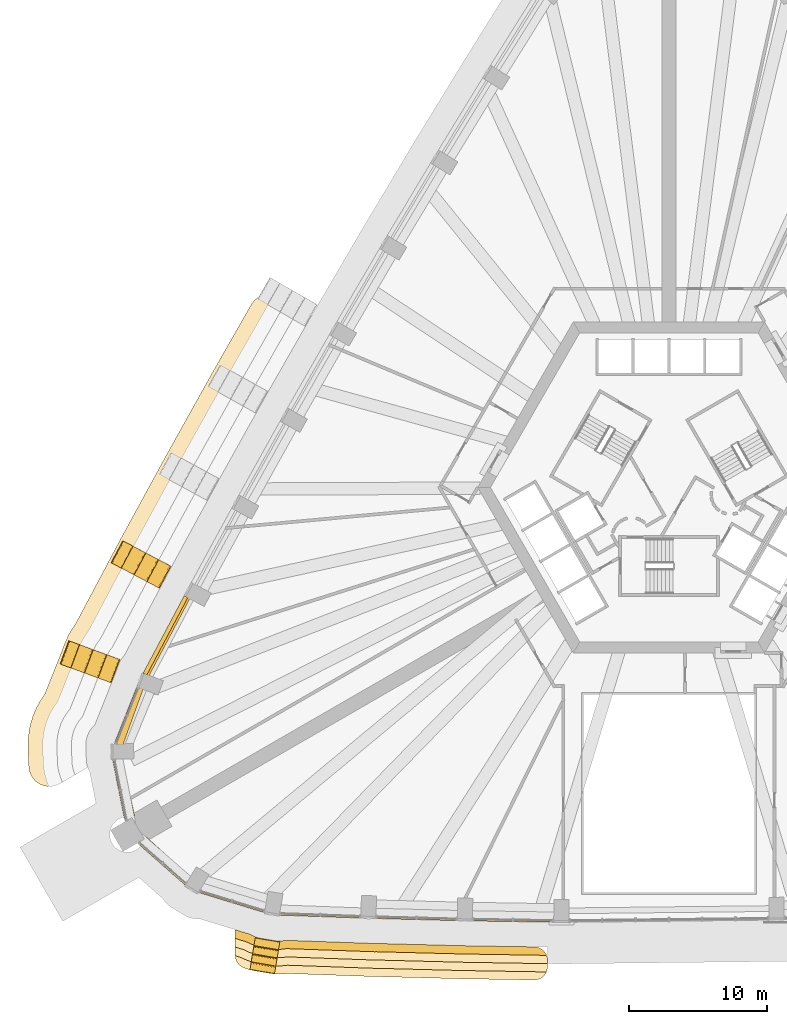
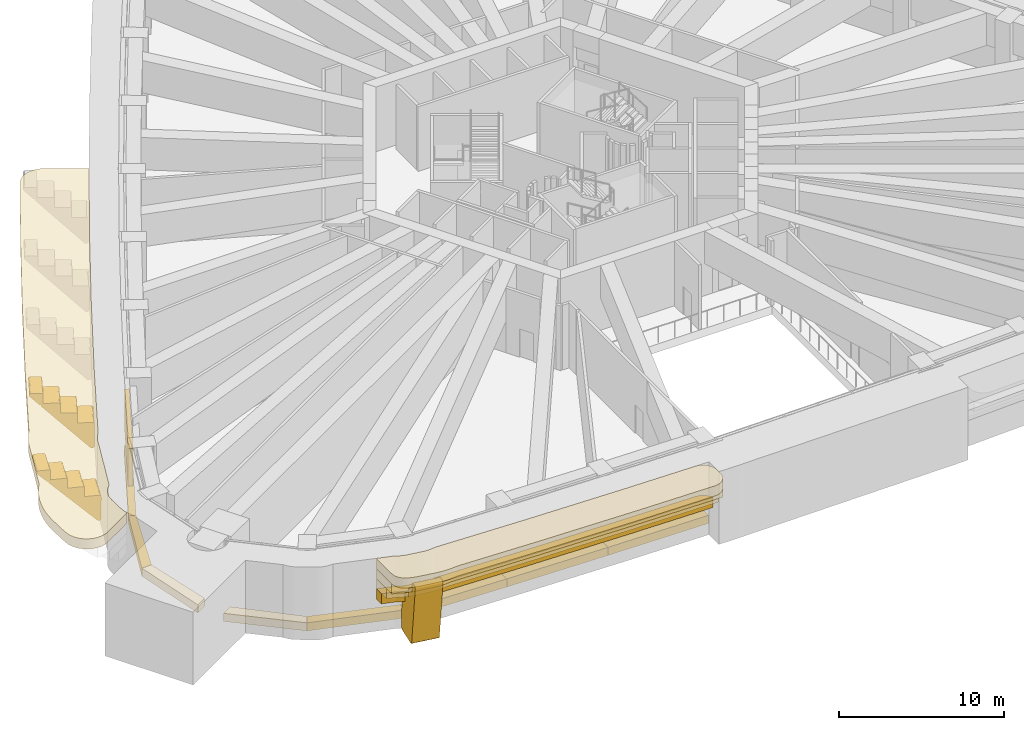
# One storey, part 16 of 22: 16 coverings, 1 shading device.
"""IFC4 building model written with IfcOpenShell, lengths in metres."""

from ifc_helpers import new_model, si_unit, direction, frame, origin, origin_2d, place, context, subcontext, project, spatial, polyline, rectangle, outline, extrude, material, layer, layer_set, type_object, element, save


model = new_model("IFC4")

# Units and contexts
model_context = context("Model", 3, precision=1e-05, world=origin(), true_north=direction((0.0, 1.0)))
body_context = subcontext(model_context, "Body", "Model", "MODEL_VIEW")
ifc_project = project(units=[si_unit("LENGTHUNIT", "METRE"), si_unit("AREAUNIT", "SQUARE_METRE"), si_unit("VOLUMEUNIT", "CUBIC_METRE"), si_unit("PLANEANGLEUNIT", "RADIAN"), si_unit("MASSUNIT", "GRAM", prefix="KILO")], contexts=[model_context])

# Site, building, storey
site_placement = place(None, origin())
site = spatial("IfcSite", under=ifc_project, at=site_placement, CompositionType="ELEMENT")
building_placement = place(site_placement, origin())
building = spatial("IfcBuilding", under=site, at=building_placement, Name="Entoto Arch Interchange Tower", CompositionType="ELEMENT")
storey_placement = place(building_placement, frame((0.0, 0.0, 132.800048828125)))
storey = spatial("IfcBuildingStorey", under=building, at=storey_placement, Name="L29", CompositionType="ELEMENT", Elevation=132.800048828125)

# Shading device
ifc_material_1 = material(Name="Aluminium, anodised", Category="aluminium")
ifc_layer = layer(ifc_material_1, 0.300048828125)
ifc_layer_set = layer_set([ifc_layer], Name="Aluminium, anodised")
shading_device_type = type_object("IfcShadingDeviceType", Name="PLANT LOUVRE ALUMINIUM", PredefinedType="JALOUSIE", material=ifc_layer_set)
shading_device_placement = place(storey_placement, frame((-36.48388671875, -8.219970703125, 1.19970703125), z_axis=(0.0, 0.0, 1.0), x_axis=(-0.4686391959, -0.883389667172, 0.0)))
element("IfcShadingDevice", 1, at=shading_device_placement, inside=storey, type_object=shading_device_type, Name="Plant louvre NW-08 L29", PredefinedType="JALOUSIE", context=body_context, shape_type="SweptSolid", body=[
    extrude(rectangle(XDim=6.3291015625, YDim=0.300048828125, at=origin_2d()), origin(), (0.0, 0.0, 1.0), 2.800048828125),
])

# Coverings
ifc_material_2 = material(Name="Board-marked precast concrete C50/60", Category="concrete")
covering_type_1 = type_object("IfcCoveringType", Name="PRECAST FRAME COURSE", PredefinedType="CLADDING", material=ifc_material_2)
covering_1_placement = place(storey_placement, frame((0.0, 0.0, 4.050048828125)))
element("IfcCovering", 2, at=covering_1_placement, inside=storey, type_object=covering_type_1, Name="Cantilever cornice L29 1", PredefinedType="CLADDING", context=body_context, shape_type="SweptSolid", body=[
    extrude(outline(polyline([(-9.382080078125, -30.875), (-9.298095703125, -30.9150390625), (-9.218017578125, -30.964111328125), (-9.14404296875, -31.02099609375), (-9.075927734375, -31.083984375), (-9.012939453125, -31.153076171875), (-8.9580078125, -31.22900390625), (-8.910888671875, -31.30908203125), (-8.8720703125, -31.39306640625), (-8.840087890625, -31.48095703125), (-8.818115234375, -31.572021484375), (-8.804931640625, -31.6640625), (-8.800048828125, -31.757080078125), (-8.800048828125, -32.237060546875), (-8.804931640625, -32.33203125), (-8.819091796875, -32.426025390625), (-8.842041015625, -32.51806640625), (-8.875, -32.60791015625), (-8.916015625, -32.694091796875), (-8.965087890625, -32.77490234375), (-9.02197265625, -32.85107421875), (-9.0869140625, -32.9208984375), (-9.157958984375, -32.985107421875), (-9.235107421875, -33.041015625), (-9.31689453125, -33.089111328125), (-9.404052734375, -33.1279296875), (-9.493896484375, -33.158935546875), (-9.5859375, -33.180908203125), (-9.680908203125, -33.194091796875), (-9.77587890625, -33.197021484375), (-10.31005859375, -33.18798828125), (-14.23291015625, -33.123046875), (-14.242919921875, -33.1220703125), (-14.2529296875, -33.123046875), (-14.322998046875, -33.1240234375), (-14.3701171875, -33.1240234375), (-14.7509765625, -33.114990234375), (-15.445068359375, -33.09912109375), (-15.447021484375, -33.09912109375), (-21.2490234375, -32.947998046875), (-21.2490234375, -32.947998046875), (-21.258056640625, -32.947998046875), (-21.26806640625, -32.947998046875), (-21.298095703125, -32.948974609375), (-21.364013671875, -32.949951171875), (-21.412109375, -32.948974609375), (-22.39697265625, -32.9140625), (-22.487060546875, -32.910888671875), (-27.60302734375, -32.72802734375), (-27.60302734375, -32.72802734375), (-27.6279296875, -32.72705078125), (-27.653076171875, -32.73095703125), (-27.6689453125, -32.73388671875), (-27.762939453125, -32.74609375), (-28.080078125, -32.77001953125), (-28.174072265625, -32.77294921875), (-28.407958984375, -32.76806640625), (-28.491943359375, -32.76611328125), (-28.5859375, -32.759033203125), (-28.695068359375, -32.74609375), (-28.925048828125, -32.718017578125), (-28.970947265625, -32.7119140625), (-29.051025390625, -32.697998046875), (-30.009033203125, -32.534912109375), (-30.054931640625, -32.52587890625), (-30.259033203125, -32.47998046875), (-30.388916015625, -32.451904296875), (-30.47998046875, -32.427001953125), (-30.76708984375, -32.3330078125), (-30.85400390625, -32.300048828125), (-30.93701171875, -32.259033203125), (-31.014892578125, -32.2099609375), (-31.089111328125, -32.153076171875), (-31.156982421875, -32.090087890625), (-31.218017578125, -32.02099609375), (-31.27197265625, -31.946044921875), (-31.319091796875, -31.865966796875), (-31.35791015625, -31.781982421875), (-31.388916015625, -31.694091796875), (-31.410888671875, -31.60498046875), (-31.424072265625, -31.512939453125), (-31.428955078125, -31.419921875), (-31.428955078125, -29.5791015625), (-31.428955078125, -29.555908203125), (-30.304931640625, -29.89990234375), (-30.284912109375, -29.9140625), (-30.131103515625, -30.0009765625), (-29.968994140625, -30.072021484375), (-29.801025390625, -30.126953125), (-29.62890625, -30.1650390625), (-28.544921875, -30.35009765625), (-28.368896484375, -30.37109375), (-28.193115234375, -30.375), (-28.01611328125, -30.361083984375), (-27.842041015625, -30.3310546875), (-27.802001953125, -30.319091796875), (-22.402099609375, -30.511962890625), (-21.302978515625, -30.551025390625), (-21.1708984375, -30.550048828125), (-15.39111328125, -30.698974609375), (-15.387939453125, -30.698974609375), (-14.2880859375, -30.72607421875), (-14.18408203125, -30.722900390625), (-11.8291015625, -30.761962890625), (-11.76611328125, -30.762939453125), (-9.743896484375, -30.797119140625), (-9.65087890625, -30.802978515625), (-9.55908203125, -30.818115234375), (-9.468994140625, -30.842041015625), (-9.382080078125, -30.875)])), origin(), (0.0, 0.0, 1.0), 0.75),
])
covering_2_placement = place(storey_placement, frame((0.0, 0.0, 3.300048828125)))
element("IfcCovering", 3, at=covering_2_placement, inside=storey, type_object=covering_type_1, Name="Cantilever cornice L29 2", PredefinedType="CLADDING", context=body_context, shape_type="SweptSolid", body=[
    extrude(outline(polyline([(-9.382080078125, -30.875), (-9.298095703125, -30.9150390625), (-9.218017578125, -30.964111328125), (-9.14404296875, -31.02099609375), (-9.075927734375, -31.083984375), (-9.012939453125, -31.153076171875), (-8.9580078125, -31.22900390625), (-8.910888671875, -31.30908203125), (-8.8720703125, -31.39306640625), (-8.840087890625, -31.48095703125), (-8.818115234375, -31.572021484375), (-8.804931640625, -31.6640625), (-8.800048828125, -31.757080078125), (-8.800048828125, -32.237060546875), (-8.804931640625, -32.33203125), (-8.819091796875, -32.426025390625), (-8.842041015625, -32.51806640625), (-8.875, -32.60791015625), (-8.8759765625, -32.612060546875), (-14.22802734375, -32.52294921875), (-14.33203125, -32.52490234375), (-15.430908203125, -32.4990234375), (-15.43798828125, -32.4990234375), (-21.237060546875, -32.347900390625), (-21.366943359375, -32.35009765625), (-22.466064453125, -32.31103515625), (-27.6669921875, -32.125), (-27.791015625, -32.14697265625), (-28.14306640625, -32.174072265625), (-28.49609375, -32.166015625), (-28.846923828125, -32.1240234375), (-29.931884765625, -31.93896484375), (-30.27587890625, -31.863037109375), (-30.612060546875, -31.7529296875), (-30.93603515625, -31.611083984375), (-31.02001953125, -31.56298828125), (-31.427978515625, -31.43798828125), (-31.428955078125, -31.419921875), (-31.428955078125, -29.5791015625), (-31.428955078125, -29.555908203125), (-30.304931640625, -29.89990234375), (-30.284912109375, -29.9140625), (-30.131103515625, -30.0009765625), (-29.968994140625, -30.072021484375), (-29.801025390625, -30.126953125), (-29.62890625, -30.1650390625), (-28.544921875, -30.35009765625), (-28.368896484375, -30.37109375), (-28.193115234375, -30.375), (-28.01611328125, -30.361083984375), (-27.842041015625, -30.3310546875), (-27.802001953125, -30.319091796875), (-22.402099609375, -30.511962890625), (-21.302978515625, -30.551025390625), (-21.1708984375, -30.550048828125), (-15.39111328125, -30.698974609375), (-15.387939453125, -30.698974609375), (-14.2880859375, -30.72607421875), (-14.18408203125, -30.722900390625), (-11.8291015625, -30.761962890625), (-11.76611328125, -30.762939453125), (-9.743896484375, -30.797119140625), (-9.65087890625, -30.802978515625), (-9.55908203125, -30.818115234375), (-9.468994140625, -30.842041015625), (-9.382080078125, -30.875)])), origin(), (0.0, 0.0, 1.0), 0.75),
])
covering_3_placement = place(storey_placement, frame((0.0, 0.0, 2.550048828125)))
element("IfcCovering", 4, at=covering_3_placement, inside=storey, type_object=covering_type_1, Name="Cantilever cornice L29 3", PredefinedType="CLADDING", context=body_context, shape_type="SweptSolid", body=[
    extrude(outline(polyline([(-9.382080078125, -30.875), (-9.298095703125, -30.9150390625), (-9.218017578125, -30.964111328125), (-9.14404296875, -31.02099609375), (-9.075927734375, -31.083984375), (-9.012939453125, -31.153076171875), (-8.9580078125, -31.22900390625), (-8.910888671875, -31.30908203125), (-8.8720703125, -31.39306640625), (-8.840087890625, -31.48095703125), (-8.818115234375, -31.572021484375), (-8.804931640625, -31.6640625), (-8.800048828125, -31.757080078125), (-8.800048828125, -32.012939453125), (-14.212890625, -31.923095703125), (-14.31689453125, -31.925048828125), (-15.4169921875, -31.89892578125), (-15.422119140625, -31.89892578125), (-21.215087890625, -31.7490234375), (-21.345947265625, -31.7509765625), (-22.445068359375, -31.7119140625), (-27.705078125, -31.52294921875), (-27.865966796875, -31.552001953125), (-28.159912109375, -31.573974609375), (-28.4541015625, -31.568115234375), (-28.74609375, -31.532958984375), (-29.8310546875, -31.347900390625), (-30.117919921875, -31.283935546875), (-30.39794921875, -31.193115234375), (-30.6669921875, -31.073974609375), (-30.784912109375, -31.008056640625), (-31.428955078125, -30.81103515625), (-31.428955078125, -29.5791015625), (-31.428955078125, -29.555908203125), (-30.304931640625, -29.89990234375), (-30.284912109375, -29.9140625), (-30.131103515625, -30.0009765625), (-29.968994140625, -30.072021484375), (-29.801025390625, -30.126953125), (-29.62890625, -30.1650390625), (-28.544921875, -30.35009765625), (-28.368896484375, -30.37109375), (-28.193115234375, -30.375), (-28.01611328125, -30.361083984375), (-27.842041015625, -30.3310546875), (-27.802001953125, -30.319091796875), (-22.402099609375, -30.511962890625), (-21.302978515625, -30.551025390625), (-21.1708984375, -30.550048828125), (-15.39111328125, -30.698974609375), (-15.387939453125, -30.698974609375), (-14.2880859375, -30.72607421875), (-14.18408203125, -30.722900390625), (-11.8291015625, -30.761962890625), (-11.76611328125, -30.762939453125), (-9.743896484375, -30.797119140625), (-9.65087890625, -30.802978515625), (-9.55908203125, -30.818115234375), (-9.468994140625, -30.842041015625), (-9.382080078125, -30.875)])), origin(), (0.0, 0.0, 1.0), 0.75),
])
covering_4_placement = place(storey_placement, frame((0.0, 0.0, 1.800048828125)))
element("IfcCovering", 5, at=covering_4_placement, inside=storey, type_object=covering_type_1, Name="Cantilever cornice L29 4", PredefinedType="CLADDING", context=body_context, shape_type="SweptSolid", body=[
    extrude(outline(polyline([(-9.382080078125, -30.875), (-9.298095703125, -30.9150390625), (-9.218017578125, -30.964111328125), (-9.14404296875, -31.02099609375), (-9.075927734375, -31.083984375), (-9.012939453125, -31.153076171875), (-8.9580078125, -31.22900390625), (-8.910888671875, -31.30908203125), (-8.8720703125, -31.39306640625), (-8.864990234375, -31.412109375), (-14.198974609375, -31.322998046875), (-14.302978515625, -31.325927734375), (-15.403076171875, -31.299072265625), (-15.406982421875, -31.299072265625), (-21.193115234375, -31.14892578125), (-21.323974609375, -31.15087890625), (-22.424072265625, -31.112060546875), (-27.743896484375, -30.922119140625), (-27.94091796875, -30.95703125), (-28.176025390625, -30.97509765625), (-28.412109375, -30.968994140625), (-28.64501953125, -30.94091796875), (-29.72998046875, -30.756103515625), (-29.9599609375, -30.705078125), (-30.18408203125, -30.632080078125), (-30.39892578125, -30.537109375), (-30.551025390625, -30.451904296875), (-31.428955078125, -30.18310546875), (-31.428955078125, -29.5791015625), (-31.428955078125, -29.555908203125), (-30.304931640625, -29.89990234375), (-30.284912109375, -29.9140625), (-30.131103515625, -30.0009765625), (-29.968994140625, -30.072021484375), (-29.801025390625, -30.126953125), (-29.62890625, -30.1650390625), (-28.544921875, -30.35009765625), (-28.368896484375, -30.37109375), (-28.193115234375, -30.375), (-28.01611328125, -30.361083984375), (-27.842041015625, -30.3310546875), (-27.802001953125, -30.319091796875), (-22.402099609375, -30.511962890625), (-21.302978515625, -30.551025390625), (-21.1708984375, -30.550048828125), (-15.39111328125, -30.698974609375), (-15.387939453125, -30.698974609375), (-14.2880859375, -30.72607421875), (-14.18408203125, -30.722900390625), (-11.8291015625, -30.761962890625), (-11.76611328125, -30.762939453125), (-9.743896484375, -30.797119140625), (-9.65087890625, -30.802978515625), (-9.55908203125, -30.818115234375), (-9.468994140625, -30.842041015625), (-9.382080078125, -30.875)])), origin(), (0.0, 0.0, 1.0), 0.75),
])
covering_5_placement = place(storey_placement, frame((-30.068115234375, -30.698974609375, 1.800048828125), z_axis=(-0.98574887065, 0.168195741076, 0.003058871698), x_axis=(0.002853089727, -0.001465114317, 0.999994856646)))
element("IfcCovering", 6, at=covering_5_placement, inside=storey, type_object=covering_type_1, Name="Fold rib S01 L29", PredefinedType="CLADDING", context=body_context, shape_type="SweptSolid", body=[
    extrude(outline(polyline([(0.0, 0.0), (0.6149947710343832, -3.2526065174565133e-19), (0.6569951390086528, -0.010196234964264955), (0.694862005817548, -0.03327476390335326), (0.7158761775973156, -0.0536458484445105), (0.7320129462327312, -0.07815396410762657), (0.7440039767783582, -0.10527230255435345), (0.7491581072328177, -0.13376480166325364), (0.7505828008783993, -0.5983867936571956), (1.3655755199129367, -0.5995547640915784), (1.4075793706627524, -0.6095456775744199), (1.4454420204755105, -0.6318258147456876), (1.466459712696306, -0.6530363553509502), (1.4825940339724688, -0.6774270016646804), (1.494585422212021, -0.7047860023496472), (1.4997388561113711, -0.7333195657548319), (1.501164246312062, -1.197900493452489), (2.1010216798948345, -1.1979561549531235), (2.1449725648023126, -1.2038539268756492), (2.18405370879979, -1.223121747105285), (2.207020920202982, -1.2414013930451462), (2.233178265626568, -1.2767764442748353), (2.2451661710905744, -1.3043407664412254), (2.2503203015450337, -1.3328332655501258), (2.250618619688157, -1.6400775411292812), (2.2394281765126296, -1.683800047020762), (2.215540547002033, -1.7221523743554796), (2.1945641780381737, -1.7435266033197272), (2.155523284215857, -1.7661215659448821), (2.1115875919478975, -1.7750331069833096), (2.0805804612712993, -1.774100358755389), (-2.2698694944436557, -1.177939734899328), (-2.3108968630472413, -1.1658583245703098), (-2.3470533234953477, -1.143740796512722), (-2.3670916720185122, -1.1223650569672012), (-2.3881235214625325, -1.086022412570176), (-2.3962051970177636, -1.0584543233833088), (-2.3991648593689745, -1.0301239625105287), (-2.3995987146628583, 0.43262096894411795), (-2.389627537558123, 0.47537964868874016), (-2.3667160889980536, 0.5129679832573343), (-2.3335410726932535, 0.5425011595039123), (-2.307677115660474, 0.5565723779645235), (-2.279608750425509, 0.5658324706093562), (-2.2505562408099613, 0.5679500429152138), (-0.15069468082088797, 0.570039010314708), (-0.1216405897677136, 0.567014823485491), (-0.0796341409967185, 0.5527273304711486), (-0.0446954405127409, 0.5265937722226853), (-0.018538433950338357, 0.4909369944584716), (-0.0036053433867899295, 0.44937029990377514), (-0.0004039513600517739, 0.4201128662736321), (0.0, 0.0)])), origin(), (0.0, 0.0, -1.0), 1.800048828125),
])
covering_6_placement = place(storey_placement, frame((0.0, 0.0, 4.050048828125)))
element("IfcCovering", 7, at=covering_6_placement, inside=storey, type_object=covering_type_1, Name="Cantilever cornice nw-L29 1", PredefinedType="CLADDING", context=body_context, shape_type="SweptSolid", body=[
    extrude(outline(polyline([(-42.2880859375, -17.89208984375), (-42.406005859375, -17.968017578125), (-44.14208984375, -18.969970703125), (-44.27001953125, -19.035888671875), (-44.404052734375, -19.090087890625), (-44.54296875, -19.1298828125), (-44.68505859375, -19.156982421875), (-44.827880859375, -19.169921875), (-44.972900390625, -19.1689453125), (-45.115966796875, -19.154052734375), (-45.258056640625, -19.1259765625), (-45.39599609375, -19.083984375), (-45.529052734375, -19.029052734375), (-45.656982421875, -18.9609375), (-45.777099609375, -18.882080078125), (-45.889892578125, -18.791015625), (-45.992919921875, -18.68994140625), (-46.0859375, -18.5791015625), (-46.1669921875, -18.4599609375), (-46.237060546875, -18.333984375), (-46.294921875, -18.200927734375), (-46.339111328125, -18.06396484375), (-46.3701171875, -17.923095703125), (-46.387939453125, -17.780029296875), (-46.39990234375, -17.60498046875), (-46.4169921875, -17.3779296875), (-46.419921875, -17.303955078125), (-46.444091796875, -16.278076171875), (-46.444091796875, -16.205078125), (-46.443115234375, -16.14990234375), (-46.431884765625, -15.72607421875), (-46.4208984375, -15.580078125), (-46.365966796875, -15.14208984375), (-46.341064453125, -14.9970703125), (-46.243896484375, -14.56591796875), (-46.2041015625, -14.424072265625), (-46.06591796875, -14.0048828125), (-46.011962890625, -13.867919921875), (-45.8330078125, -13.465087890625), (-45.76708984375, -13.3330078125), (-45.549072265625, -12.948974609375), (-45.469970703125, -12.824951171875), (-45.26806640625, -12.5390625), (-45.241943359375, -12.5029296875), (-45.22607421875, -12.4609375), (-44.7109375, -11.166015625), (-43.97412109375, -9.31103515625), (-43.970947265625, -9.302978515625), (-43.968017578125, -9.294921875), (-43.81689453125, -8.887939453125), (-43.7900390625, -8.819091796875), (-43.60205078125, -8.3798828125), (-43.5380859375, -8.2470703125), (-43.469970703125, -8.1240234375), (-43.324951171875, -7.860107421875), (-43.248046875, -7.735107421875), (-43.006103515625, -7.381103515625), (-42.98193359375, -7.345947265625), (-42.962890625, -7.30908203125), (-41.3798828125, -4.327880859375), (-40.43603515625, -2.547119140625), (-39.91796875, -1.572021484375), (-39.9140625, -1.56494140625), (-39.887939453125, -1.51708984375), (-39.884033203125, -1.510009765625), (-36.97509765625, 3.8291015625), (-36.966064453125, 3.844970703125), (-36.958984375, 3.85888671875), (-36.944091796875, 3.888916015625), (-36.8349609375, 4.0869140625), (-36.429931640625, 4.8291015625), (-36.426025390625, 4.8349609375), (-36.404052734375, 4.8759765625), (-36.40087890625, 4.882080078125), (-34.452880859375, 8.3720703125), (-33.44091796875, 10.18603515625), (-33.431884765625, 10.200927734375), (-33.424072265625, 10.216064453125), (-33.416015625, 10.23193359375), (-33.416015625, 10.23193359375), (-33.39501953125, 10.27099609375), (-33.010986328125, 10.9541015625), (-32.8759765625, 11.195068359375), (-32.873046875, 11.199951171875), (-32.85498046875, 11.23291015625), (-32.85205078125, 11.237060546875), (-30.278076171875, 15.741943359375), (-30.198974609375, 15.865966796875), (-30.10791015625, 15.98193359375), (-30.0048828125, 16.087890625), (-29.89306640625, 16.18408203125), (-29.77197265625, 16.26904296875), (-29.64306640625, 16.341064453125), (-29.508056640625, 16.39990234375), (-29.367919921875, 16.445068359375), (-29.222900390625, 16.47705078125), (-29.076904296875, 16.493896484375), (-28.928955078125, 16.4970703125), (-28.781982421875, 16.485107421875), (-28.636962890625, 16.458984375), (-28.4951171875, 16.41796875), (-28.35693359375, 16.364013671875), (-28.22607421875, 16.2958984375), (-25.89404296875, 14.949951171875), (-26.1689453125, 14.47412109375), (-26.197021484375, 14.41796875), (-29.2060546875, 9.15087890625), (-29.212890625, 9.139892578125), (-29.751953125, 8.180908203125), (-29.77099609375, 8.14306640625), (-32.735107421875, 2.83203125), (-32.742919921875, 2.818115234375), (-33.27001953125, 1.85302734375), (-33.281005859375, 1.8310546875), (-36.197998046875, -3.52294921875), (-36.20703125, -3.5400390625), (-36.72412109375, -4.510986328125), (-36.72705078125, -4.51806640625), (-39.468017578125, -9.68408203125), (-39.498046875, -9.714111328125), (-39.612060546875, -9.84912109375), (-39.7119140625, -9.9951171875), (-39.797119140625, -10.14990234375), (-39.865966796875, -10.31201171875), (-40.050048828125, -10.80810546875), (-41.60595703125, -14.72509765625), (-41.62109375, -14.737060546875), (-41.7490234375, -14.85791015625), (-41.864990234375, -14.991943359375), (-41.966064453125, -15.135986328125), (-42.053955078125, -15.2900390625), (-42.125, -15.450927734375), (-42.180908203125, -15.618896484375), (-42.219970703125, -15.791015625), (-42.241943359375, -15.967041015625), (-42.24609375, -16.14306640625), (-42.220947265625, -17.242919921875), (-42.2080078125, -17.4189453125), (-42.177978515625, -17.593017578125), (-42.131103515625, -17.762939453125), (-42.117919921875, -17.798095703125), (-42.132080078125, -17.76611328125), (-42.177978515625, -17.805908203125), (-42.2880859375, -17.89208984375)])), origin(), (0.0, 0.0, 1.0), 0.75),
])
covering_7_placement = place(storey_placement, frame((-36.298095703125, -3.094970703125, -0.06103515625), z_axis=(0.469109942423, 0.883134905462, 0.002932690681), x_axis=(0.692801886819, -0.365944027366, -0.621377915971)))
element("IfcCovering", 8, at=covering_7_placement, inside=storey, type_object=covering_type_1, Name="Fold rib NW08 L29", PredefinedType="CLADDING", context=body_context, shape_type="SweptSolid", body=[
    extrude(outline(polyline([(0.0, 0.0), (0.04518075729447757, 3.469446951953614e-18), (0.07373694919353035, -0.007375992572137016), (0.11271318110777792, -0.029251942194957706), (0.14366656009829692, -0.0615910228943152), (0.1637654712444357, -0.10059039708286832), (0.17119099180029482, -0.14480283308414776), (0.16556688510477371, -0.18864130960393458), (0.14767801516420312, -0.22929467952374635), (-0.8604137621599125, -1.5013243820011564), (-0.8808535499411098, -1.522196159954152), (-0.9046340234499491, -1.5391697390361987), (-0.9460380305119664, -1.5546297752684537), (-0.9755831909020669, -1.5579992547972077), (-1.0045195097647082, -1.5556133815905375), (-1.0333532695958925, -1.5480127932338137), (-1.059203115711258, -1.5340581700696097), (-1.752773329119058, -0.9852514074550325), (-2.135403017511268, -1.4667177281243329), (-2.1584355291559367, -1.4852203742209193), (-2.1833196841931284, -1.500072462584876), (-2.211095154811941, -1.5085837783760172), (-2.2403211180736697, -1.5122014620008812), (-2.2848548637548354, -1.5064845519779615), (-2.3118660261336825, -1.4950352077673736), (-2.3361830463785465, -1.479798504499227), (-3.041378399600405, -0.9205267850298438), (-3.4246846523352117, -1.4014582547944194), (-3.446683232423059, -1.420782398604345), (-3.4726013190170715, -1.4348129892549626), (-3.499700225293288, -1.4438591559508285), (-3.5296027528976133, -1.446941988670968), (-3.5734599342361824, -1.4417599295527725), (-3.6004710966150295, -1.430310585342185), (-3.6251073139882655, -1.4148256779779285), (-4.331256292695753, -0.8535469591603844), (-4.713289722816558, -1.3367336323692305), (-4.735288302904406, -1.3560577761791563), (-4.76093836408775, -1.370303351936235), (-4.788474436860284, -1.3790008207994586), (-4.81820782337896, -1.3822173662457797), (-4.861876778588954, -1.3771882412100176), (-4.901639522059575, -1.3584292156006148), (-5.345263939569927, -1.00784595174111), (-5.3655377820778485, -0.9877170972030718), (-5.382670773434006, -0.9641591921182435), (-5.394148975478824, -0.9369842120013079), (-5.4008128597973695, -0.9086398630070542), (-5.401628494832822, -0.8799476428488227), (-5.395980030481749, -0.8513995727635617), (-5.3858228099290795, -0.8236180344047823), (-5.3703262837175565, -0.7988301446800294), (-5.350714763871722, -0.7776148013473159), (-5.327291657577107, -0.7603545754566543), (-5.301296432829243, -0.7491869180426991), (-5.272415633132034, -0.742491316074712), (-4.4671172672108845, -0.6295741830435437), (-4.437931501191402, -0.6309082673415731), (-4.409017942078124, -0.6385709067223249), (-4.382561281591695, -0.6517603877865024), (-4.356287486207912, -0.6713500856355554), (-4.335877251155999, -0.6442265467549153), (-4.314403531817981, -0.6241762665152584), (-4.276171069397957, -0.6049517441382355), (-4.247459410786399, -0.5981224294440675), (0.0, 0.0)])), origin(), (0.0, 0.0, -1.0), 1.800048828125),
])
covering_8_placement = place(storey_placement, frame((-40.014892578125, -9.884033203125, -0.032958984375), z_axis=(0.347090942878, 0.937827403975, 0.00276364355), x_axis=(0.742610518442, -0.273038844207, -0.611538557617)))
element("IfcCovering", 9, at=covering_8_placement, inside=storey, type_object=covering_type_1, Name="Fold rib NW09 L29", PredefinedType="CLADDING", context=body_context, shape_type="SweptSolid", body=[
    extrude(outline(polyline([(0.0, 0.0), (0.04431447833286194, -3.469446951953614e-18), (0.0866456045040727, -0.012660268142895094), (0.12344470901213477, -0.03709460450057523), (0.15184823824373872, -0.07169831840200327), (0.16824614593432258, -0.11337690444365567), (0.17160920825263212, -0.15794320101345055), (0.1622892194181793, -0.20103283629799468), (0.1488629604544299, -0.22737475156607695), (-0.8252512653827629, -1.4890979717073134), (-0.8449164847185235, -1.5106169785914907), (-0.869412915119014, -1.5271692043160754), (-0.8961623573687337, -1.5392042957844299), (-0.9246396221808834, -1.5461960022779508), (-0.9540101678583319, -1.5475628884836703), (-0.9838101085265547, -1.542427644140628), (-1.0102721168357136, -1.5318505677599805), (-1.0360623899947041, -1.5159262384369123), (-1.7234380749234601, -0.9846446296109458), (-2.099986881890028, -1.4708808827232847), (-2.122670261654082, -1.4897600786699638), (-2.1477426329087157, -1.504631176069604), (-2.17555861876653, -1.5133734650349147), (-2.2047398243945664, -1.5173520384765056), (-2.249289037882385, -1.5122342348728304), (-2.2757510461915444, -1.5016571584921825), (-2.300816113766118, -1.486292168071341), (-3.012766359164593, -0.9360157270896123), (-3.3900403717155774, -1.4216926412997246), (-3.411817244499111, -1.441271010874187), (-3.437348181841865, -1.455792058244003), (-3.464886903007663, -1.4647445625135815), (-3.494460014849746, -1.4684254081434482), (-3.538169381231118, -1.463954455949455), (-3.565079330432677, -1.4530282559708492), (-3.590421662699268, -1.4374530502457397), (-4.303193187004256, -0.8837610208834892), (-4.319061702217551, -0.9082156305724896), (-4.67892071506431, -1.37341286237635), (-4.701604094828364, -1.3922920583230292), (-4.726676466082997, -1.4071631557226696), (-4.754033885852692, -1.416255494717805), (-4.7836069976947755, -1.4199363403476712), (-4.827497665472251, -1.415325553428122), (-4.867418704384239, -1.3971208278364862), (-5.313975973353537, -1.0532060258432727), (-5.33489256488444, -1.0330279964338982), (-5.352065922727123, -1.0098789779846995), (-5.3638216947534065, -0.9828957636258644), (-5.370498426769274, -0.9549013484907314), (-5.371546894800007, -0.925087876465184), (-5.367260322896838, -0.8969272131173107), (-5.357206825175677, -0.8692090470044036), (-5.341882214150695, -0.8443349331387329), (-5.3225475976167065, -0.8228692579851891), (-5.298528411530455, -0.805949850302035), (-5.272602834729661, -0.7929700965316071), (-5.2442109080177035, -0.7859089358912406), (-4.4452198491395105, -0.6666066507561059), (-4.415494643674066, -0.6682890974042051), (-4.386078570566581, -0.6755984664458379), (-4.359637827025951, -0.6886293369761889), (-4.3290589090146865, -0.7134994127917289), (-4.3056933235275405, -0.6797194814749834), (-4.283767149338339, -0.6599479454443318), (-4.2449241242296, -0.6393651328706773), (-4.217324062976133, -0.6316923111099839), (0.0, 0.0)])), origin(), (0.0, 0.0, -1.0), 1.800048828125),
])
covering_type_2 = type_object("IfcCoveringType", Name="PRECAST LEDGE COURSE", PredefinedType="CLADDING", material=ifc_material_2)
covering_9_placement = place(storey_placement, frame((0.0, 0.0, -1.199951171875)))
element("IfcCovering", 10, at=covering_9_placement, inside=storey, type_object=covering_type_2, Name="Precast course S-01 L29", PredefinedType="CLADDING", context=body_context, shape_type="SweptSolid", body=[
    extrude(outline(polyline([(-21.7890625, -28.094970703125), (-21.7890625, -28.73291015625), (-28.783935546875, -28.48291015625), (-28.783935546875, -27.8369140625), (-21.7890625, -28.094970703125)])), origin(), (0.0, 0.0, 1.0), 0.599853515625),
])
covering_10_placement = place(storey_placement, frame((0.0, 0.0, -1.199951171875)))
element("IfcCovering", 11, at=covering_10_placement, inside=storey, type_object=covering_type_2, Name="Precast course S-02 L29", PredefinedType="CLADDING", context=body_context, shape_type="SweptSolid", body=[
    extrude(outline(polyline([(-14.794921875, -28.281982421875), (-14.794921875, -28.9130859375), (-21.7890625, -28.73291015625), (-21.7890625, -28.094970703125), (-14.794921875, -28.281982421875)])), origin(), (0.0, 0.0, 1.0), 0.599853515625),
])
covering_11_placement = place(storey_placement, frame((0.0, 0.0, -1.199951171875)))
element("IfcCovering", 12, at=covering_11_placement, inside=storey, type_object=covering_type_2, Name="Precast course S-03 L29", PredefinedType="CLADDING", context=body_context, shape_type="SweptSolid", body=[
    extrude(outline(polyline([(-7.800048828125, -28.39794921875), (-7.800048828125, -29.02490234375), (-14.794921875, -28.9130859375), (-14.794921875, -28.281982421875), (-7.800048828125, -28.39794921875)])), origin(), (0.0, 0.0, 1.0), 0.599853515625),
])
covering_12_placement = place(storey_placement, frame((0.0, 0.0, -1.199951171875)))
element("IfcCovering", 13, at=covering_12_placement, inside=storey, type_object=covering_type_2, Name="Precast course NW-08 L29", PredefinedType="CLADDING", context=body_context, shape_type="SweptSolid", body=[
    extrude(outline(polyline([(-37.924072265625, -11.617919921875), (-38.368896484375, -11.452880859375), (-34.8759765625, -4.8701171875), (-34.468994140625, -5.0869140625), (-37.924072265625, -11.617919921875)])), origin(), (0.0, 0.0, 1.0), 0.599853515625),
])
covering_13_placement = place(storey_placement, frame((0.0, 0.0, -1.199951171875)))
element("IfcCovering", 14, at=covering_13_placement, inside=storey, type_object=covering_type_2, Name="Precast course SW-01 L29", PredefinedType="CLADDING", context=body_context, shape_type="SweptSolid", body=[
    extrude(outline(polyline([(-39.740966796875, -16.635009765625), (-40.43408203125, -16.65087890625), (-38.368896484375, -11.452880859375), (-37.924072265625, -11.617919921875), (-39.740966796875, -16.635009765625)])), origin(), (0.0, 0.0, 1.0), 0.599853515625),
])
covering_14_placement = place(storey_placement, frame((0.0, 0.0, -1.199951171875)))
element("IfcCovering", 15, at=covering_14_placement, inside=storey, type_object=covering_type_2, Name="Precast course SW-02 L29", PredefinedType="CLADDING", context=body_context, shape_type="SweptSolid", body=[
    extrude(outline(polyline([(-38.715087890625, -21.31396484375), (-39.427001953125, -21.72509765625), (-40.43408203125, -16.65087890625), (-39.740966796875, -16.635009765625), (-38.715087890625, -21.31396484375)])), origin(), (0.0, 0.0, 1.0), 0.599853515625),
])
covering_15_placement = place(storey_placement, frame((0.0, 0.0, -1.199951171875)))
element("IfcCovering", 16, at=covering_15_placement, inside=storey, type_object=covering_type_2, Name="Precast course SW-03 L29", PredefinedType="CLADDING", context=body_context, shape_type="SweptSolid", body=[
    extrude(outline(polyline([(-34.27587890625, -26.10009765625), (-34.635986328125, -26.69091796875), (-38.527099609375, -23.282958984375), (-37.81494140625, -22.8720703125), (-34.27587890625, -26.10009765625)])), origin(), (0.0, 0.0, 1.0), 0.599853515625),
])
covering_16_placement = place(storey_placement, frame((0.0, 0.0, -1.199951171875)))
element("IfcCovering", 17, at=covering_16_placement, inside=storey, type_object=covering_type_2, Name="Precast course SW-04 L29", PredefinedType="CLADDING", context=body_context, shape_type="SweptSolid", body=[
    extrude(outline(polyline([(-28.783935546875, -27.8369140625), (-28.783935546875, -28.48291015625), (-34.635986328125, -26.69091796875), (-34.27587890625, -26.10009765625), (-28.783935546875, -27.8369140625)])), origin(), (0.0, 0.0, 1.0), 0.599853515625),
])

save(model, "model.ifc")
